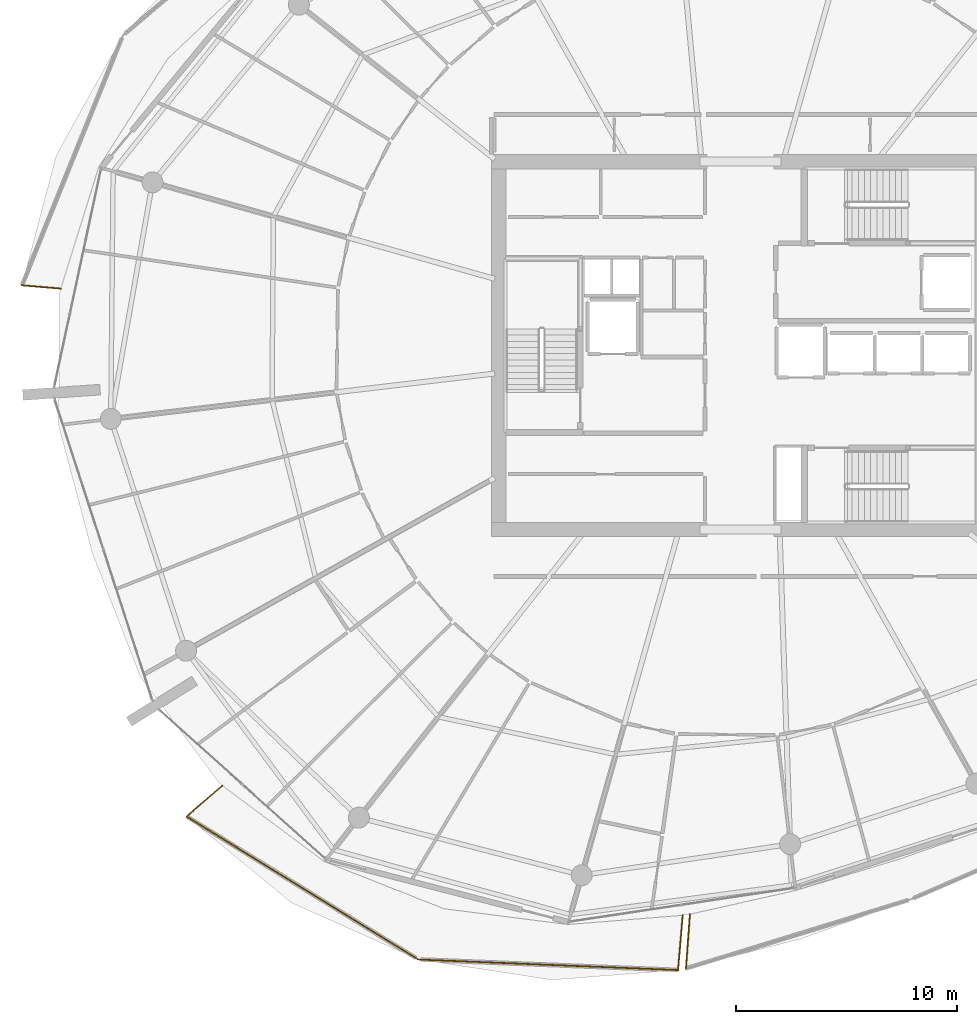
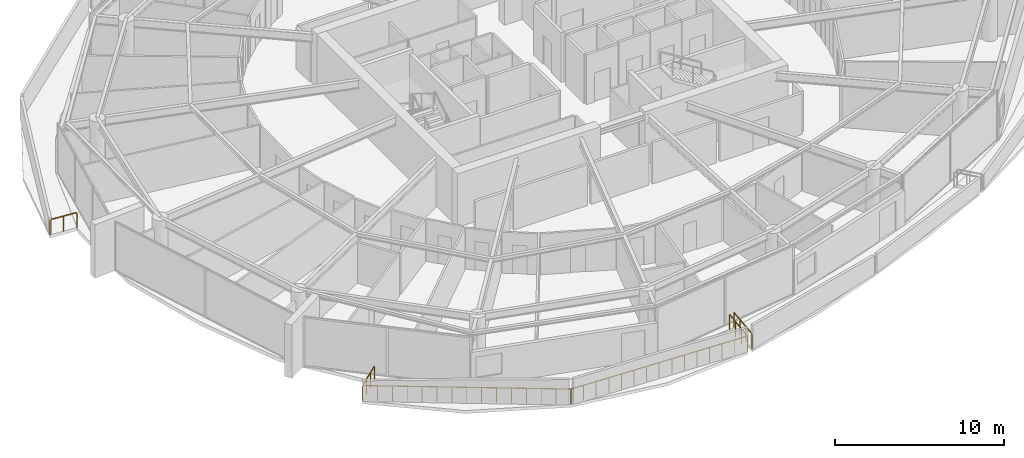
# One storey, part 25 of 31: 6 railings.
"""IFC4 building model written with IfcOpenShell, lengths in metres."""

from ifc_helpers import new_model, si_unit, direction, frame, origin, origin_2d, place, context, subcontext, project, spatial, rectangle, extrude, material, type_object, element, save


model = new_model("IFC4")

# Units and contexts
model_context = context("Model", 3, precision=1e-05, world=origin(), true_north=direction((0.0, 1.0)))
body_context = subcontext(model_context, "Body", "Model", "MODEL_VIEW")
ifc_project = project(units=[si_unit("LENGTHUNIT", "METRE"), si_unit("AREAUNIT", "SQUARE_METRE"), si_unit("VOLUMEUNIT", "CUBIC_METRE"), si_unit("PLANEANGLEUNIT", "RADIAN"), si_unit("MASSUNIT", "GRAM", prefix="KILO")], contexts=[model_context])

# Site, building, storey
site_placement = place(None, origin())
site = spatial("IfcSite", under=ifc_project, at=site_placement, CompositionType="ELEMENT")
building_placement = place(site_placement, origin())
building = spatial("IfcBuilding", under=site, at=building_placement, Name="Kazma Halo Residences", CompositionType="ELEMENT")
storey_placement = place(building_placement, frame((0.0, 0.0, 240.550048828125)))
storey = spatial("IfcBuildingStorey", under=building, at=storey_placement, Name="L60", CompositionType="ELEMENT", Elevation=240.550048828125)

# Railings
ifc_material = material(Name="Aluminium AW-6063 T6 Brushed Cap Rail", Category="aluminium")
railing_type = type_object("IfcRailingType", Name="RLG-BAL-CAP-1120", PredefinedType="BALUSTRADE", material=ifc_material)
railing_1_placement = place(storey_placement, frame((15.89599609375, 44.72412109375, 0.0)))
element("IfcRailing", 1, at=railing_1_placement, inside=storey, type_object=railing_type, Name="L60 NW wave balcony guard 4", PredefinedType="BALUSTRADE", context=body_context, shape_type="SweptSolid", body=[
    extrude(rectangle(XDim=0.050048828125, YDim=0.050048828125, at=origin_2d()), frame((0.04248046875, -0.003662109375, 1.09521484375), z_axis=(0.996414445327, -0.084606460419, 0.0), x_axis=(0.084606460419, 0.996414445327, 0.0)), (0.0, 0.0, 1.0), 1.675048828125),
    extrude(rectangle(XDim=0.0400390625, YDim=0.0400390625, at=origin_2d()), origin(), (0.0, 0.0, 1.0), 1.05810546875),
    extrude(rectangle(XDim=0.0400390625, YDim=0.0400390625, at=origin_2d()), frame((0.876953125, -0.074462890625, 0.0)), (0.0, 0.0, 1.0), 1.05810546875),
    extrude(rectangle(XDim=0.0400390625, YDim=0.0400390625, at=origin_2d()), frame((1.75390625, -0.14892578125, 0.0)), (0.0, 0.0, 1.0), 1.05810546875),
])
railing_2_placement = place(storey_placement, frame((24.9599609375, 22.0771484375, 0.0)))
element("IfcRailing", 2, at=railing_2_placement, inside=storey, type_object=railing_type, Name="L60 SW wave balcony guard 1", PredefinedType="BALUSTRADE", context=body_context, shape_type="SweptSolid", body=[
    extrude(rectangle(XDim=0.050048828125, YDim=0.050048828125, at=origin_2d()), frame((-0.0322265625, -0.02783203125, 1.09521484375), z_axis=(-0.756418334569, -0.654088146299, 0.0), x_axis=(0.654088146299, -0.756418334569, 0.0)), (0.0, 0.0, 1.0), 2.04541015625),
    extrude(rectangle(XDim=0.0400390625, YDim=0.0400390625, at=origin_2d()), origin(), (0.0, 0.0, 1.0), 1.05810546875),
    extrude(rectangle(XDim=0.0400390625, YDim=0.0400390625, at=origin_2d()), frame((-0.537109375, -0.464599609375, 0.0)), (0.0, 0.0, 1.0), 1.05810546875),
    extrude(rectangle(XDim=0.0400390625, YDim=0.0400390625, at=origin_2d()), frame((-1.074462890625, -0.928955078125, 0.0)), (0.0, 0.0, 1.0), 1.05810546875),
    extrude(rectangle(XDim=0.0400390625, YDim=0.0400390625, at=origin_2d()), frame((-1.611572265625, -1.3935546875, 0.0)), (0.0, 0.0, 1.0), 1.05810546875),
])
railing_3_placement = place(storey_placement, frame((23.348388671875, 20.68359375, 0.0)))
element("IfcRailing", 3, at=railing_3_placement, inside=storey, type_object=railing_type, Name="L60 SW wave balcony guard 2", PredefinedType="BALUSTRADE", context=body_context, shape_type="SweptSolid", body=[
    extrude(rectangle(XDim=0.050048828125, YDim=0.050048828125, at=origin_2d()), frame((0.0361328125, -0.0224609375, 1.09521484375), z_axis=(0.85090135907, -0.525325496367, 0.0), x_axis=(0.525325496367, 0.85090135907, 0.0)), (0.0, 0.0, 1.0), 12.24365234375),
    extrude(rectangle(XDim=0.0400390625, YDim=0.0400390625, at=origin_2d()), origin(), (0.0, 0.0, 1.0), 1.05810546875),
    extrude(rectangle(XDim=0.0400390625, YDim=0.0400390625, at=origin_2d()), frame((0.749267578125, -0.462646484375, 0.0)), (0.0, 0.0, 1.0), 1.05810546875),
    extrude(rectangle(XDim=0.0400390625, YDim=0.0400390625, at=origin_2d()), frame((1.49853515625, -0.92529296875, 0.0)), (0.0, 0.0, 1.0), 1.05810546875),
    extrude(rectangle(XDim=0.0400390625, YDim=0.0400390625, at=origin_2d()), frame((2.248046875, -1.387939453125, 0.0)), (0.0, 0.0, 1.0), 1.05810546875),
    extrude(rectangle(XDim=0.0400390625, YDim=0.0400390625, at=origin_2d()), frame((2.997314453125, -1.850341796875, 0.0)), (0.0, 0.0, 1.0), 1.05810546875),
    extrude(rectangle(XDim=0.0400390625, YDim=0.0400390625, at=origin_2d()), frame((3.74658203125, -2.31298828125, 0.0)), (0.0, 0.0, 1.0), 1.05810546875),
    extrude(rectangle(XDim=0.0400390625, YDim=0.0400390625, at=origin_2d()), frame((4.495849609375, -2.775634765625, 0.0)), (0.0, 0.0, 1.0), 1.05810546875),
    extrude(rectangle(XDim=0.0400390625, YDim=0.0400390625, at=origin_2d()), frame((5.2451171875, -3.23828125, 0.0)), (0.0, 0.0, 1.0), 1.05810546875),
    extrude(rectangle(XDim=0.0400390625, YDim=0.0400390625, at=origin_2d()), frame((5.99462890625, -3.700927734375, 0.0)), (0.0, 0.0, 1.0), 1.05810546875),
    extrude(rectangle(XDim=0.0400390625, YDim=0.0400390625, at=origin_2d()), frame((6.743896484375, -4.16357421875, 0.0)), (0.0, 0.0, 1.0), 1.05810546875),
    extrude(rectangle(XDim=0.0400390625, YDim=0.0400390625, at=origin_2d()), frame((7.4931640625, -4.626220703125, 0.0)), (0.0, 0.0, 1.0), 1.05810546875),
    extrude(rectangle(XDim=0.0400390625, YDim=0.0400390625, at=origin_2d()), frame((8.242431640625, -5.088623046875, 0.0)), (0.0, 0.0, 1.0), 1.05810546875),
    extrude(rectangle(XDim=0.0400390625, YDim=0.0400390625, at=origin_2d()), frame((8.991943359375, -5.55126953125, 0.0)), (0.0, 0.0, 1.0), 1.05810546875),
    extrude(rectangle(XDim=0.0400390625, YDim=0.0400390625, at=origin_2d()), frame((9.7412109375, -6.013916015625, 0.0)), (0.0, 0.0, 1.0), 1.05810546875),
    extrude(rectangle(XDim=0.0400390625, YDim=0.0400390625, at=origin_2d()), frame((10.490478515625, -6.4765625, 0.0)), (0.0, 0.0, 1.0), 1.05810546875),
])
railing_4_placement = place(storey_placement, frame((33.8388671875, 14.20703125, 0.0)))
element("IfcRailing", 4, at=railing_4_placement, inside=storey, type_object=railing_type, Name="L60 SW wave balcony guard 3", PredefinedType="BALUSTRADE", context=body_context, shape_type="SweptSolid", body=[
    extrude(rectangle(XDim=0.050048828125, YDim=0.050048828125, at=origin_2d()), frame((0.04248046875, -0.001708984375, 1.09521484375), z_axis=(0.999178574478, -0.04052377456, 0.0), x_axis=(0.04052377456, 0.999178574478, 0.0)), (0.0, 0.0, 1.0), 11.68701171875),
    extrude(rectangle(XDim=0.0400390625, YDim=0.0400390625, at=origin_2d()), origin(), (0.0, 0.0, 1.0), 1.05810546875),
    extrude(rectangle(XDim=0.0400390625, YDim=0.0400390625, at=origin_2d()), frame((0.840087890625, -0.0341796875, 0.0)), (0.0, 0.0, 1.0), 1.05810546875),
    extrude(rectangle(XDim=0.0400390625, YDim=0.0400390625, at=origin_2d()), frame((1.680419921875, -0.068115234375, 0.0)), (0.0, 0.0, 1.0), 1.05810546875),
    extrude(rectangle(XDim=0.0400390625, YDim=0.0400390625, at=origin_2d()), frame((2.5205078125, -0.102294921875, 0.0)), (0.0, 0.0, 1.0), 1.05810546875),
    extrude(rectangle(XDim=0.0400390625, YDim=0.0400390625, at=origin_2d()), frame((3.360595703125, -0.13623046875, 0.0)), (0.0, 0.0, 1.0), 1.05810546875),
    extrude(rectangle(XDim=0.0400390625, YDim=0.0400390625, at=origin_2d()), frame((4.200927734375, -0.17041015625, 0.0)), (0.0, 0.0, 1.0), 1.05810546875),
    extrude(rectangle(XDim=0.0400390625, YDim=0.0400390625, at=origin_2d()), frame((5.041015625, -0.204345703125, 0.0)), (0.0, 0.0, 1.0), 1.05810546875),
    extrude(rectangle(XDim=0.0400390625, YDim=0.0400390625, at=origin_2d()), frame((5.88134765625, -0.238525390625, 0.0)), (0.0, 0.0, 1.0), 1.05810546875),
    extrude(rectangle(XDim=0.0400390625, YDim=0.0400390625, at=origin_2d()), frame((6.721435546875, -0.272705078125, 0.0)), (0.0, 0.0, 1.0), 1.05810546875),
    extrude(rectangle(XDim=0.0400390625, YDim=0.0400390625, at=origin_2d()), frame((7.5615234375, -0.306640625, 0.0)), (0.0, 0.0, 1.0), 1.05810546875),
    extrude(rectangle(XDim=0.0400390625, YDim=0.0400390625, at=origin_2d()), frame((8.40185546875, -0.3408203125, 0.0)), (0.0, 0.0, 1.0), 1.05810546875),
    extrude(rectangle(XDim=0.0400390625, YDim=0.0400390625, at=origin_2d()), frame((9.241943359375, -0.374755859375, 0.0)), (0.0, 0.0, 1.0), 1.05810546875),
    extrude(rectangle(XDim=0.0400390625, YDim=0.0400390625, at=origin_2d()), frame((10.08203125, -0.408935546875, 0.0)), (0.0, 0.0, 1.0), 1.05810546875),
    extrude(rectangle(XDim=0.0400390625, YDim=0.0400390625, at=origin_2d()), frame((10.92236328125, -0.44287109375, 0.0)), (0.0, 0.0, 1.0), 1.05810546875),
    extrude(rectangle(XDim=0.0400390625, YDim=0.0400390625, at=origin_2d()), frame((11.762451171875, -0.47705078125, 0.0)), (0.0, 0.0, 1.0), 1.05810546875),
])
railing_5_placement = place(storey_placement, frame((45.601318359375, 13.72998046875, 0.0)))
element("IfcRailing", 5, at=railing_5_placement, inside=storey, type_object=railing_type, Name="L60 SW wave balcony guard 4", PredefinedType="BALUSTRADE", context=body_context, shape_type="SweptSolid", body=[
    extrude(rectangle(XDim=0.050048828125, YDim=0.050048828125, at=origin_2d()), frame((0.003662109375, 0.04248046875, 1.09521484375), z_axis=(0.084500948915, 0.996423398778, 0.0), x_axis=(-0.996423398778, 0.084500948915, 0.0)), (0.0, 0.0, 1.0), 2.399658203125),
    extrude(rectangle(XDim=0.0400390625, YDim=0.0400390625, at=origin_2d()), origin(), (0.0, 0.0, 1.0), 1.05810546875),
    extrude(rectangle(XDim=0.0400390625, YDim=0.0400390625, at=origin_2d()), frame((0.070068359375, 0.8251953125, 0.0)), (0.0, 0.0, 1.0), 1.05810546875),
    extrude(rectangle(XDim=0.0400390625, YDim=0.0400390625, at=origin_2d()), frame((0.139892578125, 1.650634765625, 0.0)), (0.0, 0.0, 1.0), 1.05810546875),
    extrude(rectangle(XDim=0.0400390625, YDim=0.0400390625, at=origin_2d()), frame((0.2099609375, 2.475830078125, 0.0)), (0.0, 0.0, 1.0), 1.05810546875),
])
railing_6_placement = place(storey_placement, frame((46.1318359375, 16.25390625, 0.0)))
element("IfcRailing", 6, at=railing_6_placement, inside=storey, type_object=railing_type, Name="L60 SSE wave balcony guard 1", PredefinedType="BALUSTRADE", context=body_context, shape_type="SweptSolid", body=[
    extrude(rectangle(XDim=0.050048828125, YDim=0.050048828125, at=origin_2d()), frame((-0.003173828125, -0.04248046875, 1.09521484375), z_axis=(-0.072365602414, -0.997378172805, 0.0), x_axis=(0.997378172805, -0.072365602414, 0.0)), (0.0, 0.0, 1.0), 2.381103515625),
    extrude(rectangle(XDim=0.0400390625, YDim=0.0400390625, at=origin_2d()), origin(), (0.0, 0.0, 1.0), 1.05810546875),
    extrude(rectangle(XDim=0.0400390625, YDim=0.0400390625, at=origin_2d()), frame((-0.0595703125, -0.81982421875, 0.0)), (0.0, 0.0, 1.0), 1.05810546875),
    extrude(rectangle(XDim=0.0400390625, YDim=0.0400390625, at=origin_2d()), frame((-0.118896484375, -1.639892578125, 0.0)), (0.0, 0.0, 1.0), 1.05810546875),
    extrude(rectangle(XDim=0.0400390625, YDim=0.0400390625, at=origin_2d()), frame((-0.178466796875, -2.459716796875, 0.0)), (0.0, 0.0, 1.0), 1.05810546875),
])

save(model, "model.ifc")
